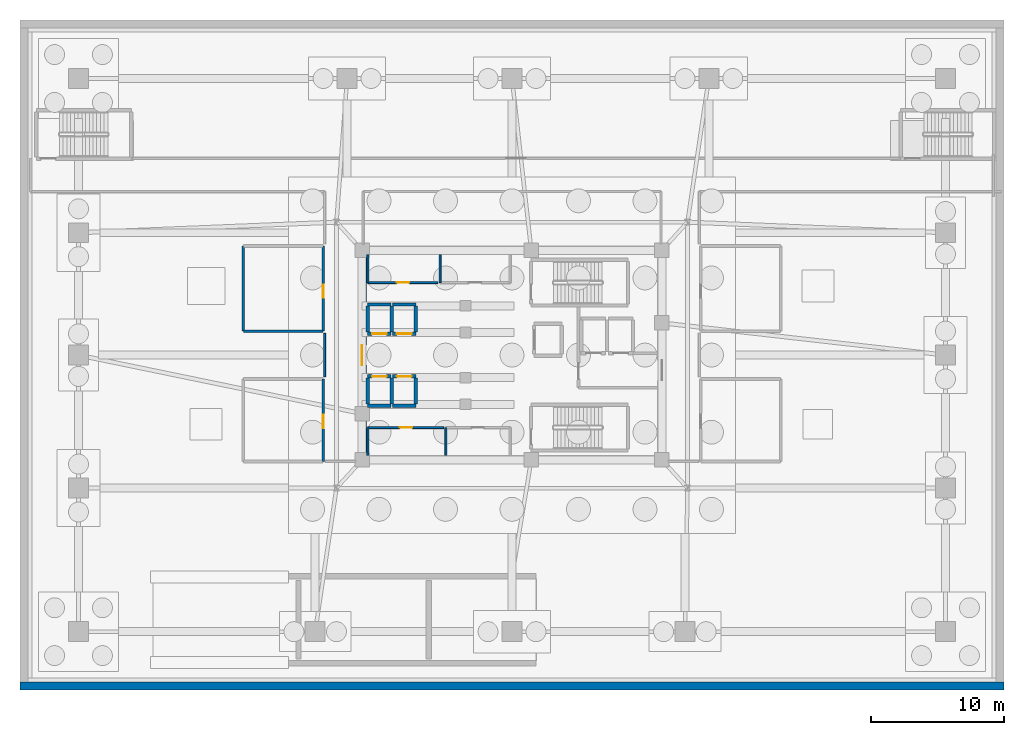
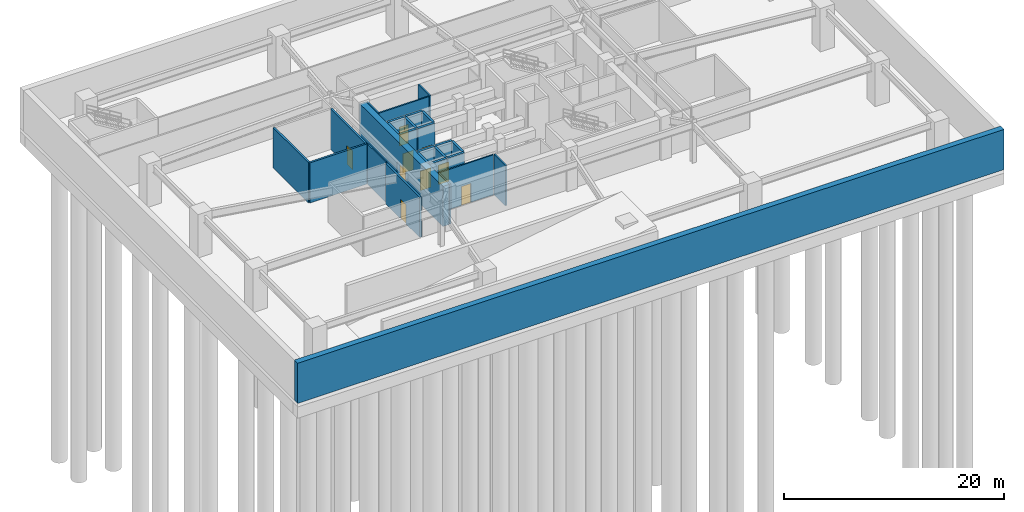
# One storey, part 4 of 8: 27 walls, 9 doors, 9 openings.
"""IFC4 building model written with IfcOpenShell, lengths in metres."""

from ifc_helpers import new_model, si_unit, direction, frame, frame_2d, origin, place, context, subcontext, project, spatial, rectangle, extrude, material, layer, layer_set, type_object, element, fill, save


model = new_model("IFC4")

# Units and contexts
model_context = context("Model", 3, precision=1e-05, world=origin(), true_north=direction((0.0, 1.0)))
body_context = subcontext(model_context, "Body", "Model", "MODEL_VIEW")
ifc_project = project(units=[si_unit("LENGTHUNIT", "METRE"), si_unit("AREAUNIT", "SQUARE_METRE"), si_unit("VOLUMEUNIT", "CUBIC_METRE"), si_unit("PLANEANGLEUNIT", "RADIAN"), si_unit("MASSUNIT", "GRAM", prefix="KILO")], contexts=[model_context])

# Site, building, storey
site_placement = place(None, origin())
site = spatial("IfcSite", under=ifc_project, at=site_placement, CompositionType="ELEMENT")
building_placement = place(site_placement, origin())
building = spatial("IfcBuilding", under=site, at=building_placement, Name="Zulverin Broadcast Headquarters", CompositionType="ELEMENT")
storey_placement = place(building_placement, frame((0.0, 0.0, -9.60009765625)))
storey = spatial("IfcBuildingStorey", under=building, at=storey_placement, Name="B2", CompositionType="ELEMENT", Elevation=-9.60009765625)

# Wall, opening, door
ifc_material_1 = material(Name="Concrete C60/75", Category="concrete")
ifc_layer_1 = layer(ifc_material_1, 0.64990234375, Name="Concrete C60/75", Category="concrete")
ifc_layer_set_1 = layer_set([ifc_layer_1], Name="Concrete C60/75")
wall_type_1 = type_object("IfcWallType", Name="WL-CORE-650", PredefinedType="SHEAR", material=ifc_layer_set_1)
wall_1_placement = place(storey_placement, frame((25.72509765625, 17.64990234375, 0.0), z_axis=(0.0, 0.0, 1.0), x_axis=(0.0, 1.0, 0.0)))
wall_1 = element("IfcWall", 1, at=wall_1_placement, inside=storey, type_object=wall_type_1, Name="B2 Core West Shear Wall", PredefinedType="SHEAR", context=body_context, shape_type="SweptSolid", body=[
    extrude(rectangle(XDim=15.10009765625, YDim=0.64990234375, at=frame_2d((7.550048828125, 0.0))), origin(), (0.0, 0.0, 1.0), 4.4501953125),
])
opening_1_placement = place(wall_1_placement, frame((6.800048828125, 0.0, 0.0)))
opening_1 = element("IfcOpeningElement", 2, at=opening_1_placement, cuts=wall_1, Name="Opening D-B2-CW1", PredefinedType="OPENING", context=body_context, shape_type="SweptSolid", body=[
    extrude(rectangle(XDim=1.5, YDim=2.14990234375, at=frame_2d((0.75, 1.074951171875))), frame((0.0, 0.3349609375, 0.0), z_axis=(0.0, -1.0, 0.0), x_axis=(1.0, 0.0, 0.0)), (0.0, 0.0, 1.0), 0.669921875),
])
ifc_material_2 = material(Name="Fire-rated glazed steel frame", Category="steel")
door_type_1 = type_object("IfcDoorType", Name="DR-COR-1500", OperationType="DOUBLE_DOOR_SINGLE_SWING", PredefinedType="DOOR", material=ifc_material_2)
door_1_placement = place(opening_1_placement, origin())
door_1 = element("IfcDoor", 3, at=door_1_placement, inside=storey, type_object=door_type_1, Name="B2 Central Lift Lobby West Portal Door", OperationType="DOUBLE_DOOR_SINGLE_SWING", OverallHeight=2.14990234375, OverallWidth=1.5, PredefinedType="DOOR", context=body_context, shape_type="SweptSolid", body=[
    extrude(rectangle(XDim=1.5, YDim=2.14990234375, at=frame_2d((0.75, 1.074951171875))), frame((0.0, 0.02490234375, 0.0), z_axis=(0.0, -1.0, 0.0), x_axis=(1.0, 0.0, 0.0)), (0.0, 0.0, 1.0), 0.050048828125),
])
fill(opening_1, door_1)

ifc_material_3 = material(Name="Concrete C40/50", Category="concrete")
ifc_layer_2 = layer(ifc_material_3, 0.199951171875, Name="Concrete C40/50", Category="concrete")
ifc_layer_set_2 = layer_set([ifc_layer_2], Name="Concrete C40/50")
wall_type_2 = type_object("IfcWallType", Name="WL-FFL-200", PredefinedType="SOLIDWALL", material=ifc_layer_set_2)
wall_2_placement = place(storey_placement, frame((22.800048828125, 17.199951171875, 0.0), z_axis=(0.0, 0.0, 1.0), x_axis=(0.0, 1.0, 0.0)))
wall_2 = element("IfcWall", 4, at=wall_2_placement, inside=storey, type_object=wall_type_2, Name="B2 Chiller & District Cooling Plant Room E Wall", PredefinedType="SOLIDWALL", context=body_context, shape_type="SweptSolid", body=[
    extrude(rectangle(XDim=6.199951171875, YDim=0.199951171875, at=frame_2d((3.10009765625, 0.0))), origin(), (0.0, 0.0, 1.0), 4.4501953125),
])
opening_2_placement = place(wall_2_placement, frame((2.5, 0.0, 0.0)))
opening_2 = element("IfcOpeningElement", 5, at=opening_2_placement, cuts=wall_2, Name="Opening D-B2-PLT1", PredefinedType="OPENING", context=body_context, shape_type="SweptSolid", body=[
    extrude(rectangle(XDim=1.0, YDim=2.1201171875, at=frame_2d((0.5, 1.06005859375))), frame((0.0, 0.10986328125, 0.0), z_axis=(0.0, -1.0, 0.0), x_axis=(1.0, 0.0, 0.0)), (0.0, 0.0, 1.0), 0.219970703125),
])
ifc_material_4 = material(Name="Hardwood veneer acoustic leaf", Category="wood")
door_type_2 = type_object("IfcDoorType", Name="DR-OFF-1000", OperationType="SINGLE_SWING_LEFT", PredefinedType="DOOR", material=ifc_material_4)
door_2_placement = place(opening_2_placement, origin())
door_2 = element("IfcDoor", 6, at=door_2_placement, inside=storey, type_object=door_type_2, Name="B2 Chiller & District Cooling Plant Room Door", OperationType="SINGLE_SWING_LEFT", OverallHeight=2.1201171875, OverallWidth=1.0, PredefinedType="DOOR", context=body_context, shape_type="SweptSolid", body=[
    extrude(rectangle(XDim=1.0, YDim=2.1201171875, at=frame_2d((0.5, 1.06005859375))), frame((0.0, 0.02490234375, 0.0), z_axis=(0.0, -1.0, 0.0), x_axis=(1.0, 0.0, 0.0)), (0.0, 0.0, 1.0), 0.050048828125),
])
fill(opening_2, door_2)

# Walls
wall_3_placement = place(storey_placement, frame((16.800048828125, 27.0, 0.0), z_axis=(0.0, 0.0, 1.0), x_axis=(1.0, 0.0, 0.0)))
element("IfcWall", 7, at=wall_3_placement, inside=storey, type_object=wall_type_2, Name="B2 Domestic & Fire Pump Plant Room S Wall", PredefinedType="SOLIDWALL", context=body_context, shape_type="SweptSolid", body=[
    extrude(rectangle(XDim=6.0, YDim=0.199951171875, at=frame_2d((3.0, 0.0))), origin(), (0.0, 0.0, 1.0), 4.4501953125),
])
wall_4_placement = place(storey_placement, frame((16.800048828125, 27.0, 0.0), z_axis=(0.0, 0.0, 1.0), x_axis=(0.0, 1.0, 0.0)))
element("IfcWall", 8, at=wall_4_placement, inside=storey, type_object=wall_type_2, Name="B2 Domestic & Fire Pump Plant Room W Wall", PredefinedType="SOLIDWALL", context=body_context, shape_type="SweptSolid", body=[
    extrude(rectangle(XDim=6.39990234375, YDim=0.199951171875, at=frame_2d((3.199951171875, 0.0))), origin(), (0.0, 0.0, 1.0), 4.4501953125),
])

# Wall, opening, door
wall_5_placement = place(storey_placement, frame((22.800048828125, 27.0, 0.0), z_axis=(0.0, 0.0, 1.0), x_axis=(0.0, 1.0, 0.0)))
wall_5 = element("IfcWall", 9, at=wall_5_placement, inside=storey, type_object=wall_type_2, Name="B2 Domestic & Fire Pump Plant Room E Wall", PredefinedType="SOLIDWALL", context=body_context, shape_type="SweptSolid", body=[
    extrude(rectangle(XDim=6.39990234375, YDim=0.199951171875, at=frame_2d((3.199951171875, 0.0))), origin(), (0.0, 0.0, 1.0), 4.4501953125),
])
opening_3_placement = place(wall_5_placement, frame((2.5, 0.0, 0.0)))
opening_3 = element("IfcOpeningElement", 10, at=opening_3_placement, cuts=wall_5, Name="Opening D-B2-PLT2", PredefinedType="OPENING", context=body_context, shape_type="SweptSolid", body=[
    extrude(rectangle(XDim=1.0, YDim=2.1201171875, at=frame_2d((0.5, 1.06005859375))), frame((0.0, 0.10986328125, 0.0), z_axis=(0.0, -1.0, 0.0), x_axis=(1.0, 0.0, 0.0)), (0.0, 0.0, 1.0), 0.219970703125),
])
door_3_placement = place(opening_3_placement, origin())
door_3 = element("IfcDoor", 11, at=door_3_placement, inside=storey, type_object=door_type_2, Name="B2 Domestic & Fire Pump Plant Room Door", OperationType="SINGLE_SWING_RIGHT", OverallHeight=2.1201171875, OverallWidth=1.0, PredefinedType="DOOR", context=body_context, shape_type="SweptSolid", body=[
    extrude(rectangle(XDim=1.0, YDim=2.1201171875, at=frame_2d((0.5, 1.06005859375))), frame((0.0, 0.02490234375, 0.0), z_axis=(0.0, -1.0, 0.0), x_axis=(1.0, 0.0, 0.0)), (0.0, 0.0, 1.0), 0.050048828125),
])
fill(opening_3, door_3)

ifc_material_5 = material(Name="Fire-rated gypsum stud partition", Category="gypsum")
ifc_layer_3 = layer(ifc_material_5, 0.14990234375, Name="Fire-rated gypsum stud partition", Category="gypsum")
ifc_layer_set_3 = layer_set([ifc_layer_3], Name="Fire-rated gypsum stud partition")
wall_type_3 = type_object("IfcWallType", Name="WL-PART-150", PredefinedType="PARTITIONING", material=ifc_layer_set_3)
wall_6_placement = place(storey_placement, frame((26.169921875, 30.64990234375, 0.0), z_axis=(0.0, 0.0, 1.0), x_axis=(1.0, 0.0, 0.0)))
wall_6 = element("IfcWall", 12, at=wall_6_placement, inside=storey, type_object=wall_type_3, Name="B2 Core Male WC Front Wall", PredefinedType="PARTITIONING", context=body_context, shape_type="SweptSolid", body=[
    extrude(rectangle(XDim=5.260009765625, YDim=0.14990234375, at=frame_2d((2.6298828125, 0.0))), origin(), (0.0, 0.0, 1.0), 4.4501953125),
])
opening_4_placement = place(wall_6_placement, frame((2.155029296875, 0.0, 0.0)))
opening_4 = element("IfcOpeningElement", 13, at=opening_4_placement, cuts=wall_6, Name="Opening D-B2-NC1", PredefinedType="OPENING", context=body_context, shape_type="SweptSolid", body=[
    extrude(rectangle(XDim=0.949951171875, YDim=2.10009765625, at=frame_2d((0.47509765625, 1.050048828125))), frame((0.0, 0.0849609375, 0.0), z_axis=(0.0, -1.0, 0.0), x_axis=(1.0, 0.0, 0.0)), (0.0, 0.0, 1.0), 0.169921875),
])
ifc_material_6 = material(Name="Fire-rated moisture-resistant laminate leaf", Category="wood")
door_type_3 = type_object("IfcDoorType", Name="DR-WC-950", OperationType="SINGLE_SWING_LEFT", PredefinedType="DOOR", material=ifc_material_6)
door_4_placement = place(opening_4_placement, origin())
door_4 = element("IfcDoor", 14, at=door_4_placement, inside=storey, type_object=door_type_3, Name="B2 Male WC Door", OperationType="SINGLE_SWING_LEFT", OverallHeight=2.10009765625, OverallWidth=0.949951171875, PredefinedType="DOOR", context=body_context, shape_type="SweptSolid", body=[
    extrude(rectangle(XDim=0.949951171875, YDim=2.10009765625, at=frame_2d((0.47509765625, 1.050048828125))), frame((0.0, 0.02490234375, 0.0), z_axis=(0.0, -1.0, 0.0), x_axis=(1.0, 0.0, 0.0)), (0.0, 0.0, 1.0), 0.050048828125),
])
fill(opening_4, door_4)

# Walls
for number, where, z_axis, x_axis, name in (
    (15, (26.169921875, 30.64990234375, 0.0), (0.0, 0.0, 1.0), (0.0, 1.0, 0.0), "B2 Core Male WC West Wall"),
    (16, (31.590087890625, 30.64990234375, 0.0), (0.0, 0.0, 1.0), (0.0, 1.0, 0.0), "B2 Core Accessible WC West Wall"),
):
    element("IfcWall", number, at=place(storey_placement, frame(where, z_axis=z_axis, x_axis=x_axis)), inside=storey, type_object=wall_type_3, Name=name, PredefinedType="PARTITIONING", context=body_context, shape_type="SweptSolid", body=[
        extrude(rectangle(XDim=2.10009765625, YDim=0.14990234375, at=frame_2d((1.050048828125, 0.0))), origin(), (0.0, 0.0, 1.0), 4.4501953125),
    ])

# Wall, opening, door
wall_7_placement = place(storey_placement, frame((26.169921875, 19.75, 0.0), z_axis=(0.0, 0.0, 1.0), x_axis=(1.0, 0.0, 0.0)))
wall_7 = element("IfcWall", 17, at=wall_7_placement, inside=storey, type_object=wall_type_3, Name="B2 Core Female WC Front Wall", PredefinedType="PARTITIONING", context=body_context, shape_type="SweptSolid", body=[
    extrude(rectangle(XDim=5.690185546875, YDim=0.14990234375, at=frame_2d((2.84521484375, 0.0))), origin(), (0.0, 0.0, 1.0), 4.4501953125),
])
opening_5_placement = place(wall_7_placement, frame((2.3701171875, 0.0, 0.0)))
opening_5 = element("IfcOpeningElement", 18, at=opening_5_placement, cuts=wall_7, Name="Opening D-B2-SC1", PredefinedType="OPENING", context=body_context, shape_type="SweptSolid", body=[
    extrude(rectangle(XDim=0.949951171875, YDim=2.10009765625, at=frame_2d((0.47509765625, 1.050048828125))), frame((0.0, 0.0849609375, 0.0), z_axis=(0.0, -1.0, 0.0), x_axis=(1.0, 0.0, 0.0)), (0.0, 0.0, 1.0), 0.169921875),
])
door_5_placement = place(opening_5_placement, origin())
door_5 = element("IfcDoor", 19, at=door_5_placement, inside=storey, type_object=door_type_3, Name="B2 Female WC Door", OperationType="SINGLE_SWING_LEFT", OverallHeight=2.10009765625, OverallWidth=0.949951171875, PredefinedType="DOOR", context=body_context, shape_type="SweptSolid", body=[
    extrude(rectangle(XDim=0.949951171875, YDim=2.10009765625, at=frame_2d((0.47509765625, 1.050048828125))), frame((0.0, 0.02490234375, 0.0), z_axis=(0.0, -1.0, 0.0), x_axis=(1.0, 0.0, 0.0)), (0.0, 0.0, 1.0), 0.050048828125),
])
fill(opening_5, door_5)

# Walls
for number, where, z_axis, x_axis, name in (
    (20, (26.169921875, 17.64990234375, 0.0), (0.0, 0.0, 1.0), (0.0, 1.0, 0.0), "B2 Core Female WC West Wall"),
    (21, (32.02001953125, 17.64990234375, 0.0), (0.0, 0.0, 1.0), (0.0, 1.0, 0.0), "B2 Core Cleaner Store & Telecoms Riser West Wall"),
):
    element("IfcWall", number, at=place(storey_placement, frame(where, z_axis=z_axis, x_axis=x_axis)), inside=storey, type_object=wall_type_3, Name=name, PredefinedType="PARTITIONING", context=body_context, shape_type="SweptSolid", body=[
        extrude(rectangle(XDim=2.10009765625, YDim=0.14990234375, at=frame_2d((1.050048828125, 0.0))), origin(), (0.0, 0.0, 1.0), 4.4501953125),
    ])
wall_8_placement = place(storey_placement, frame((22.89990234375, 23.56005859375, 0.0), z_axis=(0.0, 0.0, 1.0), x_axis=(0.0, 1.0, 0.0)))
element("IfcWall", 22, at=wall_8_placement, inside=storey, type_object=wall_type_3, Name="B2 Gallery Partition Wall CG-06", PredefinedType="PARTITIONING", context=body_context, shape_type="SweptSolid", body=[
    extrude(rectangle(XDim=3.280029296875, YDim=0.14990234375, at=frame_2d((1.64013671875, 0.0))), origin(), (0.0, 0.0, 1.0), 4.4501953125),
])
ifc_layer_4 = layer(ifc_material_3, 0.60009765625, Name="Concrete C40/50", Category="concrete")
ifc_layer_set_4 = layer_set([ifc_layer_4], Name="Concrete C40/50")
wall_type_4 = type_object("IfcWallType", Name="WL-RET-600", PredefinedType="SOLIDWALL", material=ifc_layer_set_4)
wall_9_placement = place(storey_placement, frame((0.0, 0.300048828125, 0.0), z_axis=(0.0, 0.0, 1.0), x_axis=(1.0, 0.0, 0.0)))
element("IfcWall", 23, at=wall_9_placement, inside=storey, type_object=wall_type_4, Name="B2 Basement Retaining Wall S", PredefinedType="SOLIDWALL", context=body_context, shape_type="SweptSolid", body=[
    extrude(rectangle(XDim=74.0, YDim=0.60009765625, at=frame_2d((37.0, 0.0))), origin(), (0.0, 0.0, 1.0), 4.4501953125),
])

# Wall, opening, door
ifc_material_7 = material(Name="Concrete C50/60", Category="concrete")
ifc_layer_5 = layer(ifc_material_7, 0.25, Name="Concrete C50/60", Category="concrete")
ifc_layer_set_5 = layer_set([ifc_layer_5], Name="Concrete C50/60")
wall_type_5 = type_object("IfcWallType", Name="WL-SHAFT-250", PredefinedType="SHEAR", material=ifc_layer_set_5)
wall_10_placement = place(storey_placement, frame((26.14990234375, 26.800048828125, 0.0), z_axis=(0.0, 0.0, 1.0), x_axis=(1.0, 0.0, 0.0)))
wall_10 = element("IfcWall", 24, at=wall_10_placement, inside=storey, type_object=wall_type_5, Name="B2 Lift PL-L1 Shaft Wall S", PredefinedType="SHEAR", context=body_context, shape_type="SweptSolid", body=[
    extrude(rectangle(XDim=1.75, YDim=0.25, at=frame_2d((0.875, 0.0))), origin(), (0.0, 0.0, 1.0), 4.4501953125),
])
opening_6_placement = place(wall_10_placement, frame((0.324951171875, 0.0, 0.0)))
opening_6 = element("IfcOpeningElement", 25, at=opening_6_placement, cuts=wall_10, Name="Opening LD-PL-L1-B2", PredefinedType="OPENING", context=body_context, shape_type="SweptSolid", body=[
    extrude(rectangle(XDim=1.10009765625, YDim=2.14990234375, at=frame_2d((0.550048828125, 1.074951171875))), frame((0.0, 0.135009765625, 0.0), z_axis=(0.0, -1.0, 0.0), x_axis=(1.0, 0.0, 0.0)), (0.0, 0.0, 1.0), 0.27001953125),
])
ifc_material_8 = material(Name="Brushed stainless steel landing", Category="steel")
door_type_4 = type_object("IfcDoorType", Name="LD-PASS-1100", OperationType="DOUBLE_DOOR_SLIDING", PredefinedType="DOOR", material=ifc_material_8)
door_6_placement = place(opening_6_placement, origin())
door_6 = element("IfcDoor", 26, at=door_6_placement, inside=storey, type_object=door_type_4, Name="B2 Lift PL-L1 Sliding Landing Door", OperationType="DOUBLE_DOOR_SLIDING", OverallHeight=2.14990234375, OverallWidth=1.10009765625, PredefinedType="DOOR", context=body_context, shape_type="SweptSolid", body=[
    extrude(rectangle(XDim=1.10009765625, YDim=2.14990234375, at=frame_2d((0.550048828125, 1.074951171875))), frame((0.0, 0.02490234375, 0.0), z_axis=(0.0, -1.0, 0.0), x_axis=(1.0, 0.0, 0.0)), (0.0, 0.0, 1.0), 0.050048828125),
])
fill(opening_6, door_6)

# Walls
wall_11_placement = place(storey_placement, frame((26.14990234375, 29.0, 0.0), z_axis=(0.0, 0.0, 1.0), x_axis=(1.0, 0.0, 0.0)))
element("IfcWall", 27, at=wall_11_placement, inside=storey, type_object=wall_type_5, Name="B2 Lift PL-L1 Shaft Wall N", PredefinedType="SHEAR", context=body_context, shape_type="SweptSolid", body=[
    extrude(rectangle(XDim=1.75, YDim=0.25, at=frame_2d((0.875, 0.0))), origin(), (0.0, 0.0, 1.0), 4.4501953125),
])
for number, where, z_axis, x_axis, name in (
    (28, (26.14990234375, 26.919921875, 0.0), (0.0, 0.0, 1.0), (0.0, 1.0, 0.0), "B2 Lift PL-L1 Shaft Wall W"),
    (29, (27.9599609375, 26.919921875, 0.0), (0.0, 0.0, 1.0), (0.0, 1.0, 0.0), "B2 Lift PL-L1 Shaft Wall E"),
):
    element("IfcWall", number, at=place(storey_placement, frame(where, z_axis=z_axis, x_axis=x_axis)), inside=storey, type_object=wall_type_5, Name=name, PredefinedType="SHEAR", context=body_context, shape_type="SweptSolid", body=[
        extrude(rectangle(XDim=1.9599609375, YDim=0.25, at=frame_2d((0.97998046875, 0.0))), origin(), (0.0, 0.0, 1.0), 4.4501953125),
    ])

# Wall, opening, door
wall_12_placement = place(storey_placement, frame((28.02001953125, 26.800048828125, 0.0), z_axis=(0.0, 0.0, 1.0), x_axis=(1.0, 0.0, 0.0)))
wall_12 = element("IfcWall", 30, at=wall_12_placement, inside=storey, type_object=wall_type_5, Name="B2 Lift PL-L2 Shaft Wall S", PredefinedType="SHEAR", context=body_context, shape_type="SweptSolid", body=[
    extrude(rectangle(XDim=1.75, YDim=0.25, at=frame_2d((0.875, 0.0))), origin(), (0.0, 0.0, 1.0), 4.4501953125),
])
opening_7_placement = place(wall_12_placement, frame((0.324951171875, 0.0, 0.0)))
opening_7 = element("IfcOpeningElement", 31, at=opening_7_placement, cuts=wall_12, Name="Opening LD-PL-L2-B2", PredefinedType="OPENING", context=body_context, shape_type="SweptSolid", body=[
    extrude(rectangle(XDim=1.10009765625, YDim=2.14990234375, at=frame_2d((0.550048828125, 1.074951171875))), frame((0.0, 0.135009765625, 0.0), z_axis=(0.0, -1.0, 0.0), x_axis=(1.0, 0.0, 0.0)), (0.0, 0.0, 1.0), 0.27001953125),
])
door_7_placement = place(opening_7_placement, origin())
door_7 = element("IfcDoor", 32, at=door_7_placement, inside=storey, type_object=door_type_4, Name="B2 Lift PL-L2 Sliding Landing Door", OperationType="DOUBLE_DOOR_SLIDING", OverallHeight=2.14990234375, OverallWidth=1.10009765625, PredefinedType="DOOR", context=body_context, shape_type="SweptSolid", body=[
    extrude(rectangle(XDim=1.10009765625, YDim=2.14990234375, at=frame_2d((0.550048828125, 1.074951171875))), frame((0.0, 0.02490234375, 0.0), z_axis=(0.0, -1.0, 0.0), x_axis=(1.0, 0.0, 0.0)), (0.0, 0.0, 1.0), 0.050048828125),
])
fill(opening_7, door_7)

# Walls
wall_13_placement = place(storey_placement, frame((28.02001953125, 29.0, 0.0), z_axis=(0.0, 0.0, 1.0), x_axis=(1.0, 0.0, 0.0)))
element("IfcWall", 33, at=wall_13_placement, inside=storey, type_object=wall_type_5, Name="B2 Lift PL-L2 Shaft Wall N", PredefinedType="SHEAR", context=body_context, shape_type="SweptSolid", body=[
    extrude(rectangle(XDim=1.75, YDim=0.25, at=frame_2d((0.875, 0.0))), origin(), (0.0, 0.0, 1.0), 4.4501953125),
])
wall_14_placement = place(storey_placement, frame((29.77001953125, 26.919921875, 0.0), z_axis=(0.0, 0.0, 1.0), x_axis=(0.0, 1.0, 0.0)))
element("IfcWall", 34, at=wall_14_placement, inside=storey, type_object=wall_type_5, Name="B2 Lift PL-L2 Shaft Wall E", PredefinedType="SHEAR", context=body_context, shape_type="SweptSolid", body=[
    extrude(rectangle(XDim=1.9599609375, YDim=0.25, at=frame_2d((0.97998046875, 0.0))), origin(), (0.0, 0.0, 1.0), 4.4501953125),
])
wall_15_placement = place(storey_placement, frame((26.14990234375, 21.39990234375, 0.0), z_axis=(0.0, 0.0, 1.0), x_axis=(1.0, 0.0, 0.0)))
element("IfcWall", 35, at=wall_15_placement, inside=storey, type_object=wall_type_5, Name="B2 Lift PL-L3 Shaft Wall S", PredefinedType="SHEAR", context=body_context, shape_type="SweptSolid", body=[
    extrude(rectangle(XDim=1.75, YDim=0.25, at=frame_2d((0.875, 0.0))), origin(), (0.0, 0.0, 1.0), 4.4501953125),
])

# Wall, opening, door
wall_16_placement = place(storey_placement, frame((26.14990234375, 23.60009765625, 0.0), z_axis=(0.0, 0.0, 1.0), x_axis=(1.0, 0.0, 0.0)))
wall_16 = element("IfcWall", 36, at=wall_16_placement, inside=storey, type_object=wall_type_5, Name="B2 Lift PL-L3 Shaft Wall N", PredefinedType="SHEAR", context=body_context, shape_type="SweptSolid", body=[
    extrude(rectangle(XDim=1.75, YDim=0.25, at=frame_2d((0.875, 0.0))), origin(), (0.0, 0.0, 1.0), 4.4501953125),
])
opening_8_placement = place(wall_16_placement, frame((0.324951171875, 0.0, 0.0)))
opening_8 = element("IfcOpeningElement", 37, at=opening_8_placement, cuts=wall_16, Name="Opening LD-PL-L3-B2", PredefinedType="OPENING", context=body_context, shape_type="SweptSolid", body=[
    extrude(rectangle(XDim=1.10009765625, YDim=2.14990234375, at=frame_2d((0.550048828125, 1.074951171875))), frame((0.0, 0.135009765625, 0.0), z_axis=(0.0, -1.0, 0.0), x_axis=(1.0, 0.0, 0.0)), (0.0, 0.0, 1.0), 0.27001953125),
])
door_8_placement = place(opening_8_placement, origin())
door_8 = element("IfcDoor", 38, at=door_8_placement, inside=storey, type_object=door_type_4, Name="B2 Lift PL-L3 Sliding Landing Door", OperationType="DOUBLE_DOOR_SLIDING", OverallHeight=2.14990234375, OverallWidth=1.10009765625, PredefinedType="DOOR", context=body_context, shape_type="SweptSolid", body=[
    extrude(rectangle(XDim=1.10009765625, YDim=2.14990234375, at=frame_2d((0.550048828125, 1.074951171875))), frame((0.0, 0.02490234375, 0.0), z_axis=(0.0, -1.0, 0.0), x_axis=(1.0, 0.0, 0.0)), (0.0, 0.0, 1.0), 0.050048828125),
])
fill(opening_8, door_8)

# Walls
for number, where, z_axis, x_axis, name in (
    (39, (26.14990234375, 21.52001953125, 0.0), (0.0, 0.0, 1.0), (0.0, 1.0, 0.0), "B2 Lift PL-L3 Shaft Wall W"),
    (40, (27.9599609375, 21.52001953125, 0.0), (0.0, 0.0, 1.0), (0.0, 1.0, 0.0), "B2 Lift PL-L3 Shaft Wall E"),
):
    element("IfcWall", number, at=place(storey_placement, frame(where, z_axis=z_axis, x_axis=x_axis)), inside=storey, type_object=wall_type_5, Name=name, PredefinedType="SHEAR", context=body_context, shape_type="SweptSolid", body=[
        extrude(rectangle(XDim=1.9599609375, YDim=0.25, at=frame_2d((0.97998046875, 0.0))), origin(), (0.0, 0.0, 1.0), 4.4501953125),
    ])
wall_17_placement = place(storey_placement, frame((28.02001953125, 21.39990234375, 0.0), z_axis=(0.0, 0.0, 1.0), x_axis=(1.0, 0.0, 0.0)))
element("IfcWall", 41, at=wall_17_placement, inside=storey, type_object=wall_type_5, Name="B2 Lift PL-L4 Shaft Wall S", PredefinedType="SHEAR", context=body_context, shape_type="SweptSolid", body=[
    extrude(rectangle(XDim=1.75, YDim=0.25, at=frame_2d((0.875, 0.0))), origin(), (0.0, 0.0, 1.0), 4.4501953125),
])

# Wall, opening, door
wall_18_placement = place(storey_placement, frame((28.02001953125, 23.60009765625, 0.0), z_axis=(0.0, 0.0, 1.0), x_axis=(1.0, 0.0, 0.0)))
wall_18 = element("IfcWall", 42, at=wall_18_placement, inside=storey, type_object=wall_type_5, Name="B2 Lift PL-L4 Shaft Wall N", PredefinedType="SHEAR", context=body_context, shape_type="SweptSolid", body=[
    extrude(rectangle(XDim=1.75, YDim=0.25, at=frame_2d((0.875, 0.0))), origin(), (0.0, 0.0, 1.0), 4.4501953125),
])
opening_9_placement = place(wall_18_placement, frame((0.324951171875, 0.0, 0.0)))
opening_9 = element("IfcOpeningElement", 43, at=opening_9_placement, cuts=wall_18, Name="Opening LD-PL-L4-B2", PredefinedType="OPENING", context=body_context, shape_type="SweptSolid", body=[
    extrude(rectangle(XDim=1.10009765625, YDim=2.14990234375, at=frame_2d((0.550048828125, 1.074951171875))), frame((0.0, 0.135009765625, 0.0), z_axis=(0.0, -1.0, 0.0), x_axis=(1.0, 0.0, 0.0)), (0.0, 0.0, 1.0), 0.27001953125),
])
door_9_placement = place(opening_9_placement, origin())
door_9 = element("IfcDoor", 44, at=door_9_placement, inside=storey, type_object=door_type_4, Name="B2 Lift PL-L4 Sliding Landing Door", OperationType="DOUBLE_DOOR_SLIDING", OverallHeight=2.14990234375, OverallWidth=1.10009765625, PredefinedType="DOOR", context=body_context, shape_type="SweptSolid", body=[
    extrude(rectangle(XDim=1.10009765625, YDim=2.14990234375, at=frame_2d((0.550048828125, 1.074951171875))), frame((0.0, 0.02490234375, 0.0), z_axis=(0.0, -1.0, 0.0), x_axis=(1.0, 0.0, 0.0)), (0.0, 0.0, 1.0), 0.050048828125),
])
fill(opening_9, door_9)

# Wall
wall_19_placement = place(storey_placement, frame((29.77001953125, 21.52001953125, 0.0), z_axis=(0.0, 0.0, 1.0), x_axis=(0.0, 1.0, 0.0)))
element("IfcWall", 45, at=wall_19_placement, inside=storey, type_object=wall_type_5, Name="B2 Lift PL-L4 Shaft Wall E", PredefinedType="SHEAR", context=body_context, shape_type="SweptSolid", body=[
    extrude(rectangle(XDim=1.9599609375, YDim=0.25, at=frame_2d((0.97998046875, 0.0))), origin(), (0.0, 0.0, 1.0), 4.4501953125),
])

save(model, "model.ifc")
